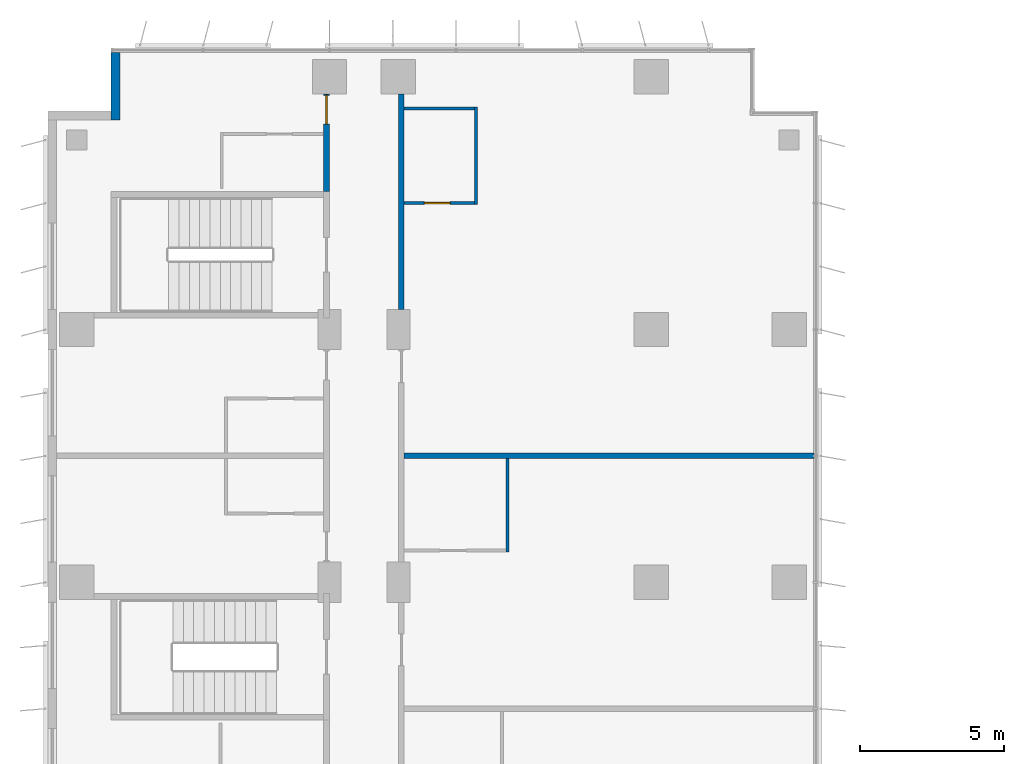
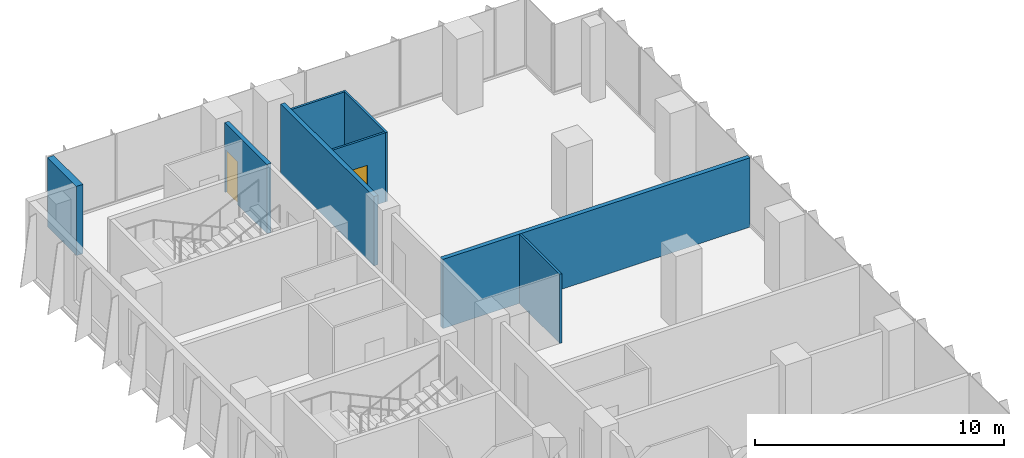
# One storey, part 18 of 23: 8 walls, 2 doors, 2 openings.
"""IFC4 building model written with IfcOpenShell, lengths in metres."""

from ifc_helpers import new_model, si_unit, direction, frame, frame_2d, origin, place, context, subcontext, project, spatial, rectangle, extrude, material, layer, layer_set, type_object, element, fill, save


model = new_model("IFC4")

# Units and contexts
model_context = context("Model", 3, precision=1e-05, world=origin(), true_north=direction((0.0, 1.0)))
body_context = subcontext(model_context, "Body", "Model", "MODEL_VIEW")
ifc_project = project(units=[si_unit("LENGTHUNIT", "METRE"), si_unit("AREAUNIT", "SQUARE_METRE"), si_unit("VOLUMEUNIT", "CUBIC_METRE"), si_unit("PLANEANGLEUNIT", "RADIAN"), si_unit("MASSUNIT", "GRAM", prefix="KILO")], contexts=[model_context])

# Site, building, storey
site_placement = place(None, origin())
site = spatial("IfcSite", under=ifc_project, at=site_placement, CompositionType="ELEMENT")
building_placement = place(site_placement, origin())
building = spatial("IfcBuilding", under=site, at=building_placement, Name="Kemantara Hotel Tower", CompositionType="ELEMENT")
storey_placement = place(building_placement, frame((0.0, 0.0, 142.0)))
storey = spatial("IfcBuildingStorey", under=building, at=storey_placement, Name="L34", CompositionType="ELEMENT", Elevation=142.0)

# Wall
ifc_material_1 = material(Name="Bronze anodised aluminium cladding on insulated steel stud wall", Category="steel")
ifc_layer_1 = layer(ifc_material_1, 0.300048828125)
ifc_layer_set_1 = layer_set([ifc_layer_1], Name="Bronze anodised aluminium cladding on insulated steel stud wall")
wall_type_1 = type_object("IfcWallType", Name="BRONZE METAL-CLAD EXTERNAL WALL 300", PredefinedType="STANDARD", material=ifc_layer_set_1)
wall_1_placement = place(storey_placement, frame((2.35009765625, 81.050048828125, 0.0), z_axis=(0.0, 0.0, 1.0), x_axis=(0.0, -1.0, 0.0)))
element("IfcWall", 1, at=wall_1_placement, inside=storey, type_object=wall_type_1, Name="EXTERNAL WALL L34 T2-R02", PredefinedType="STANDARD", context=body_context, shape_type="SweptSolid", body=[
    extrude(rectangle(XDim=2.35009765625, YDim=0.300048828125, at=frame_2d((1.175048828125, 0.0))), origin(), (0.0, 0.0, 1.0), 3.39990234375),
])

# Wall, opening, door
ifc_material_2 = material(Name="Gypsum board partition, steel studs and mineral wool, 200 mm", Category="steel")
ifc_layer_2 = layer(ifc_material_2, 0.199951171875)
ifc_layer_set_2 = layer_set([ifc_layer_2], Name="Gypsum board partition, steel studs and mineral wool, 200 mm")
wall_type_2 = type_object("IfcWallType", Name="CORRIDOR WALL 200", PredefinedType="PARTITIONING", material=ifc_layer_set_2)
wall_2_placement = place(storey_placement, frame((9.699951171875, 76.199951171875, 0.0), z_axis=(0.0, 0.0, 1.0), x_axis=(0.0, 1.0, 0.0)))
wall_2 = element("IfcWall", 2, at=wall_2_placement, inside=storey, type_object=wall_type_2, Name="CORRIDOR WALL 200 025", PredefinedType="PARTITIONING", context=body_context, shape_type="SweptSolid", body=[
    extrude(rectangle(XDim=3.39990234375, YDim=0.199951171875, at=frame_2d((1.699951171875, 0.0))), origin(), (0.0, 0.0, 1.0), 3.39990234375),
])
opening_1_placement = place(wall_2_placement, frame((2.35009765625, 0.0, 0.0)))
opening_1 = element("IfcOpeningElement", 3, at=opening_1_placement, cuts=wall_2, Name="Opening F15-039", PredefinedType="OPENING", context=body_context, shape_type="SweptSolid", body=[
    extrude(rectangle(XDim=1.0, YDim=2.10009765625, at=frame_2d((0.5, 1.050048828125))), frame((0.0, 0.10986328125, 0.0), z_axis=(0.0, -1.0, 0.0), x_axis=(1.0, 0.0, 0.0)), (0.0, 0.0, 1.0), 0.219970703125),
])
ifc_material_3 = material(Name="Hardwood veneer door leaf with steel frame", Category="steel")
door_type_1 = type_object("IfcDoorType", Name="GUEST ROOM DOOR 1000 X 2100 FD30S", OperationType="NOTDEFINED", PredefinedType="DOOR", material=ifc_material_3)
door_1_placement = place(opening_1_placement, origin())
door_1 = element("IfcDoor", 4, at=door_1_placement, inside=storey, type_object=door_type_1, Name="GUEST ROOM DOOR F15-039", OperationType="SINGLE_SWING_RIGHT", OverallHeight=2.10009765625, OverallWidth=1.0, PredefinedType="DOOR", context=body_context, shape_type="SweptSolid", body=[
    extrude(rectangle(XDim=1.0, YDim=2.10009765625, at=frame_2d((0.5, 1.050048828125))), frame((0.0, 0.02490234375, 0.0), z_axis=(0.0, -1.0, 0.0), x_axis=(1.0, 0.0, 0.0)), (0.0, 0.0, 1.0), 0.050048828125),
])
fill(opening_1, door_1)

# Walls
wall_3_placement = place(storey_placement, frame((12.300048828125, 72.10009765625, 0.0), z_axis=(0.0, 0.0, 1.0), x_axis=(0.0, 1.0, 0.0)))
element("IfcWall", 5, at=wall_3_placement, inside=storey, type_object=wall_type_2, Name="CORRIDOR WALL 200 045", PredefinedType="PARTITIONING", context=body_context, shape_type="SweptSolid", body=[
    extrude(rectangle(XDim=7.499755859375, YDim=0.199951171875, at=frame_2d((3.75, 0.0))), origin(), (0.0, 0.0, 1.0), 3.39990234375),
])
ifc_layer_3 = layer(ifc_material_2, 0.199951171875)
ifc_layer_set_3 = layer_set([ifc_layer_3], Name="Gypsum board partition, steel studs and mineral wool, 200 mm")
wall_type_3 = type_object("IfcWallType", Name="GUEST ROOM PARTY WALL 200", PredefinedType="PARTITIONING", material=ifc_layer_set_3)
wall_4_placement = place(storey_placement, frame((12.39990234375, 67.0, 0.0), z_axis=(0.0, 0.0, 1.0), x_axis=(1.0, 0.0, 0.0)))
element("IfcWall", 6, at=wall_4_placement, inside=storey, type_object=wall_type_3, Name="GUEST ROOM PARTY WALL 200 038", PredefinedType="PARTITIONING", context=body_context, shape_type="SweptSolid", body=[
    extrude(rectangle(XDim=14.27001953125, YDim=0.199951171875, at=frame_2d((7.135009765625, 0.0))), origin(), (0.0, 0.0, 1.0), 3.39990234375),
])
ifc_material_4 = material(Name="Gypsum board partition on steel studs, 100 mm", Category="steel")
ifc_layer_4 = layer(ifc_material_4, 0.10009765625)
ifc_layer_set_4 = layer_set([ifc_layer_4], Name="Gypsum board partition on steel studs, 100 mm")
wall_type_4 = type_object("IfcWallType", Name="ROOM PARTITION 100", PredefinedType="PARTITIONING", material=ifc_layer_set_4)
wall_5_placement = place(storey_placement, frame((16.0, 63.64990234375, 0.0), z_axis=(0.0, 0.0, 1.0), x_axis=(0.0, 1.0, 0.0)))
element("IfcWall", 7, at=wall_5_placement, inside=storey, type_object=wall_type_4, Name="ROOM PARTITION 100 097", PredefinedType="PARTITIONING", context=body_context, shape_type="SweptSolid", body=[
    extrude(rectangle(XDim=3.25, YDim=0.10009765625, at=frame_2d((1.625, 0.0))), origin(), (0.0, 0.0, 1.0), 3.39990234375),
])
wall_6_placement = place(storey_placement, frame((14.89990234375, 75.75, 0.0), z_axis=(0.0, 0.0, 1.0), x_axis=(0.0, 1.0, 0.0)))
element("IfcWall", 8, at=wall_6_placement, inside=storey, type_object=wall_type_4, Name="ROOM PARTITION 100 106", PredefinedType="PARTITIONING", context=body_context, shape_type="SweptSolid", body=[
    extrude(rectangle(XDim=3.39990234375, YDim=0.10009765625, at=frame_2d((1.699951171875, 0.0))), origin(), (0.0, 0.0, 1.0), 3.39990234375),
])

# Wall, opening, door
wall_7_placement = place(storey_placement, frame((12.39990234375, 75.800048828125, 0.0), z_axis=(0.0, 0.0, 1.0), x_axis=(1.0, 0.0, 0.0)))
wall_7 = element("IfcWall", 9, at=wall_7_placement, inside=storey, type_object=wall_type_4, Name="ROOM PARTITION 100 107", PredefinedType="PARTITIONING", context=body_context, shape_type="SweptSolid", body=[
    extrude(rectangle(XDim=2.4501953125, YDim=0.10009765625, at=frame_2d((1.22509765625, 0.0))), origin(), (0.0, 0.0, 1.0), 3.39990234375),
])
opening_2_placement = place(wall_7_placement, frame((0.699951171875, 0.0, 0.0)))
opening_2 = element("IfcOpeningElement", 10, at=opening_2_placement, cuts=wall_7, Name="Opening F15-056", PredefinedType="OPENING", context=body_context, shape_type="SweptSolid", body=[
    extrude(rectangle(XDim=0.89990234375, YDim=2.10009765625, at=frame_2d((0.449951171875, 1.050048828125))), frame((0.0, 0.06005859375, 0.0), z_axis=(0.0, -1.0, 0.0), x_axis=(1.0, 0.0, 0.0)), (0.0, 0.0, 1.0), 0.1201171875),
])
door_type_2 = type_object("IfcDoorType", Name="BATHROOM DOOR 900 X 2100", OperationType="NOTDEFINED", PredefinedType="DOOR", material=ifc_material_3)
door_2_placement = place(opening_2_placement, origin())
door_2 = element("IfcDoor", 11, at=door_2_placement, inside=storey, type_object=door_type_2, Name="BATHROOM DOOR F15-056", OperationType="SINGLE_SWING_LEFT", OverallHeight=2.10009765625, OverallWidth=0.89990234375, PredefinedType="DOOR", context=body_context, shape_type="SweptSolid", body=[
    extrude(rectangle(XDim=0.89990234375, YDim=2.10009765625, at=frame_2d((0.449951171875, 1.050048828125))), frame((0.0, 0.02490234375, 0.0), z_axis=(0.0, -1.0, 0.0), x_axis=(1.0, 0.0, 0.0)), (0.0, 0.0, 1.0), 0.050048828125),
])
fill(opening_2, door_2)

# Wall
wall_8_placement = place(storey_placement, frame((12.39990234375, 79.10009765625, 0.0), z_axis=(0.0, 0.0, 1.0), x_axis=(1.0, 0.0, 0.0)))
element("IfcWall", 12, at=wall_8_placement, inside=storey, type_object=wall_type_4, Name="ROOM PARTITION 100 108", PredefinedType="PARTITIONING", context=body_context, shape_type="SweptSolid", body=[
    extrude(rectangle(XDim=2.4501953125, YDim=0.10009765625, at=frame_2d((1.22509765625, 0.0))), origin(), (0.0, 0.0, 1.0), 3.39990234375),
])

save(model, "model.ifc")
